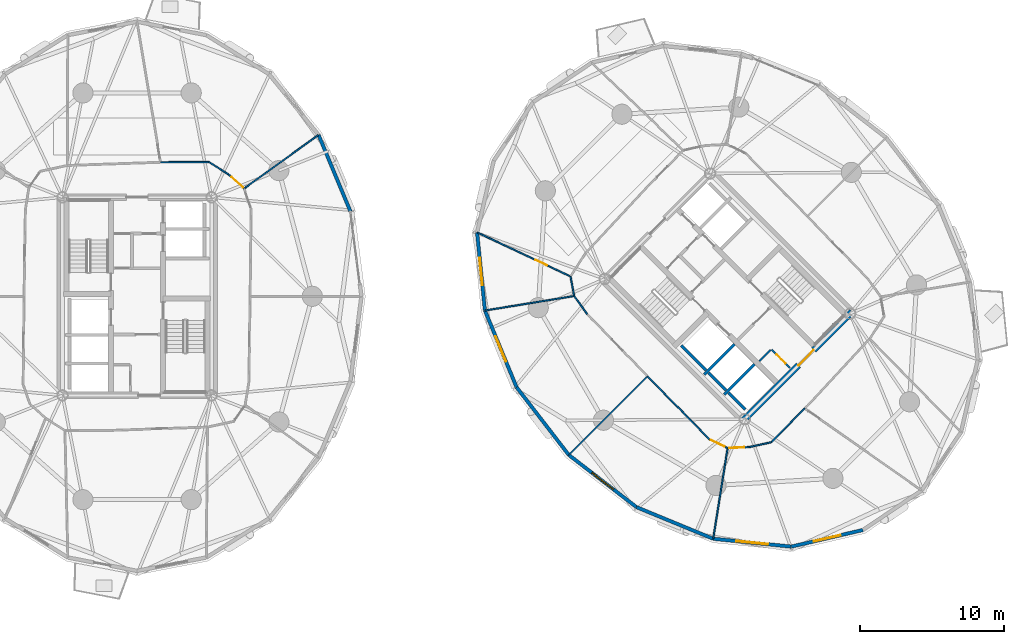
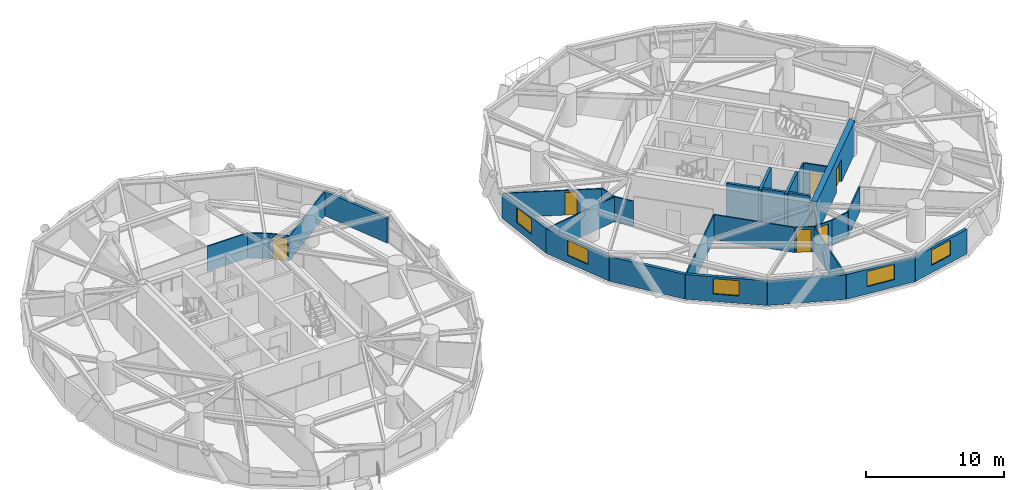
# One storey, part 11 of 17: 31 walls, 6 doors, 5 windows, 11 openings.
"""IFC4 building model written with IfcOpenShell, lengths in metres."""

from ifc_helpers import new_model, si_unit, direction, frame, frame_2d, origin, place, context, subcontext, project, spatial, rectangle, extrude, source, transform, mapped, material, layer, layer_set, type_object, element, fill, save


model = new_model("IFC4")

# Units and contexts
model_context = context("Model", 3, precision=1e-05, world=origin(), true_north=direction((0.0, 1.0)))
body_context = subcontext(model_context, "Body", "Model", "MODEL_VIEW")
ifc_project = project(units=[si_unit("LENGTHUNIT", "METRE"), si_unit("AREAUNIT", "SQUARE_METRE"), si_unit("VOLUMEUNIT", "CUBIC_METRE"), si_unit("PLANEANGLEUNIT", "RADIAN"), si_unit("MASSUNIT", "GRAM", prefix="KILO")], contexts=[model_context])

# Site, building, storey
site_placement = place(None, origin())
site = spatial("IfcSite", under=ifc_project, at=site_placement, CompositionType="ELEMENT")
building_placement = place(site_placement, origin())
building = spatial("IfcBuilding", under=site, at=building_placement, Name="Cununo Teusaquillo Station Towers", CompositionType="ELEMENT")
storey_placement = place(building_placement, frame((0.0, 0.0, 96.340087890625)))
storey = spatial("IfcBuildingStorey", under=building, at=storey_placement, Name="L30", CompositionType="ELEMENT", Elevation=96.340087890625)

# Walls
ifc_material_1 = material(Name="Concrete C50/60", Category="concrete")
ifc_layer_1 = layer(ifc_material_1, 0.199951171875)
ifc_layer_set_1 = layer_set([ifc_layer_1], Name="Concrete C50/60")
wall_type_1 = type_object("IfcWallType", Name="WL-CORE-200", PredefinedType="SHEAR", material=ifc_layer_set_1)
wall_1_placement = place(storey_placement, frame((55.8876953125, 19.0693359375, 0.0), z_axis=(0.0, 0.0, 1.0), x_axis=(0.707106781187, 0.707106781187, 0.0)))
element("IfcWall", 1, at=wall_1_placement, inside=storey, type_object=wall_type_1, Name="L30 Tower B Firefighting Lift Shaft South Shear Wall", PredefinedType="SHEAR", context=body_context, shape_type="SweptSolid", body=[
    extrude(rectangle(XDim=2.969970703125, YDim=0.199951171875, at=frame_2d((1.48486328125, 0.0))), origin(), (0.0, 0.0, 1.0), 2.909912109375),
])
wall_2_placement = place(storey_placement, frame((56.01513671875, 19.366455078125, 0.0), z_axis=(0.0, 0.0, 1.0), x_axis=(-0.707106781187, 0.707106781187, 0.0)))
element("IfcWall", 2, at=wall_2_placement, inside=storey, type_object=wall_type_1, Name="L30 Tower B Firefighting Lift Shaft Rear Shear Wall", PredefinedType="SHEAR", context=body_context, shape_type="SweptSolid", body=[
    extrude(rectangle(XDim=2.43994140625, YDim=0.199951171875, at=frame_2d((1.219970703125, 0.0))), origin(), (0.0, 0.0, 1.0), 2.909912109375),
])
wall_3_placement = place(storey_placement, frame((57.2841796875, 17.6728515625, 0.0), z_axis=(0.0, 0.0, 1.0), x_axis=(0.707147878904, 0.70706568108, 0.0)))
element("IfcWall", 3, at=wall_3_placement, inside=storey, type_object=wall_type_1, Name="L30 Tower B High-Rise Lift Hoistway Divider Shear Wall", PredefinedType="SHEAR", context=body_context, shape_type="SweptSolid", body=[
    extrude(rectangle(XDim=2.97021484375, YDim=0.199951171875, at=frame_2d((1.485107421875, 0.0))), origin(), (0.0, 0.0, 1.0), 2.909912109375),
])
wall_4_placement = place(storey_placement, frame((57.41162109375, 17.969970703125, 0.0), z_axis=(0.0, 0.0, 1.0), x_axis=(-0.707106781187, 0.707106781187, 0.0)))
element("IfcWall", 4, at=wall_4_placement, inside=storey, type_object=wall_type_1, Name="L30 Tower B High-Rise Lift 2 Shaft Rear Shear Wall", PredefinedType="SHEAR", context=body_context, shape_type="SweptSolid", body=[
    extrude(rectangle(XDim=1.73486328125, YDim=0.199951171875, at=frame_2d((0.867431640625, 0.0))), origin(), (0.0, 0.0, 1.0), 2.909912109375),
])
wall_5_placement = place(storey_placement, frame((58.7373046875, 16.64404296875, 0.0), z_axis=(0.0, 0.0, 1.0), x_axis=(-0.707032117043, 0.707181437447, 0.0)))
element("IfcWall", 5, at=wall_5_placement, inside=storey, type_object=wall_type_1, Name="L30 Tower B High-Rise Lift 1 Shaft Rear Shear Wall", PredefinedType="SHEAR", context=body_context, shape_type="SweptSolid", body=[
    extrude(rectangle(XDim=1.635009765625, YDim=0.199951171875, at=frame_2d((0.8173828125, 0.0))), origin(), (0.0, 0.0, 1.0), 2.909912109375),
])

# Wall, opening, door
ifc_material_2 = material(Name="Concrete C60/75", Category="concrete")
ifc_layer_2 = layer(ifc_material_2, 0.449951171875)
ifc_layer_set_2 = layer_set([ifc_layer_2], Name="Concrete C60/75")
wall_type_2 = type_object("IfcWallType", Name="WL-CORE-450", PredefinedType="SHEAR", material=ifc_layer_set_2)
wall_6_placement = place(storey_placement, frame((58.578369140625, 15.855712890625, 0.0), z_axis=(0.0, 0.0, 1.0), x_axis=(0.707106781187, 0.707106781187, 0.0)))
wall_6 = element("IfcWall", 6, at=wall_6_placement, inside=storey, type_object=wall_type_2, Name="L30 Tower B Core Shear Wall S", PredefinedType="SHEAR", context=body_context, shape_type="SweptSolid", body=[
    extrude(rectangle(XDim=10.69970703125, YDim=0.449951171875, at=frame_2d((5.349853515625, 0.0))), origin(), (0.0, 0.0, 1.0), 2.909912109375),
])
shared_shape_1 = source(origin(), body_context, "Body", "SweptSolid", [
    extrude(rectangle(XDim=1.5, YDim=2.02001953125, at=frame_2d((0.75, 1.010009765625))), frame((0.0, 0.23486328125, 0.0), z_axis=(0.0, -1.0, 0.0), x_axis=(1.0, 0.0, 0.0)), (0.0, 0.0, 1.0), 0.469970703125),
])
opening_1_placement = place(wall_6_placement, frame((5.449951171875, 0.0, 0.0)))
opening_1 = element("IfcOpeningElement", 7, at=opening_1_placement, cuts=wall_6, Name="Opening D-LB1", PredefinedType="OPENING", context=body_context, shape_type="MappedRepresentation", body=[
    mapped(shared_shape_1, transform((0.0, 0.0, 0.0), x_axis=(1.0, 0.0, 0.0), y_axis=(0.0, 1.0, 0.0), z_axis=(0.0, 0.0, 1.0), scale=1.0)),
])
ifc_material_3 = material(Name="Galvanised fire-rated hollow steel door assembly", Category="steel")
door_type_1 = type_object("IfcDoorType", Name="DR-LOBBY-1500", OperationType="DOUBLE_DOOR_SINGLE_SWING", PredefinedType="DOOR", material=ifc_material_3)
shared_shape_2 = source(origin(), body_context, "Body", "SweptSolid", [
    extrude(rectangle(XDim=1.5, YDim=2.02001953125, at=frame_2d((0.75, 1.010009765625))), frame((0.0, 0.02490234375, 0.0), z_axis=(0.0, -1.0, 0.0), x_axis=(1.0, 0.0, 0.0)), (0.0, 0.0, 1.0), 0.050048828125),
])
door_1_placement = place(opening_1_placement, origin())
door_1 = element("IfcDoor", 8, at=door_1_placement, inside=storey, type_object=door_type_1, Name="L30 Tower B South Core Lift Lobby Door", OperationType="DOUBLE_DOOR_SINGLE_SWING", OverallHeight=2.02001953125, OverallWidth=1.5, PredefinedType="DOOR", context=body_context, shape_type="MappedRepresentation", body=[
    mapped(shared_shape_2, transform((0.0, 0.0, 0.0), x_axis=(1.0, 0.0, 0.0), y_axis=(0.0, 1.0, 0.0), z_axis=(0.0, 0.0, 1.0), scale=1.0)),
])
fill(opening_1, door_1)

# Wall
ifc_material_4 = material(Name="Precast concrete C40/50", Category="concrete")
ifc_layer_3 = layer(ifc_material_4, 0.239990234375)
ifc_layer_set_3 = layer_set([ifc_layer_3], Name="Precast concrete C40/50")
wall_type_3 = type_object("IfcWallType", Name="WL-EXT-240", PredefinedType="SOLIDWALL", material=ifc_layer_set_3)
wall_7_placement = place(storey_placement, frame((29.105224609375, 35.708984375, 0.0), z_axis=(0.0, 0.0, 1.0), x_axis=(0.384344417632, -0.923189779317, 0.0)))
element("IfcWall", 9, at=wall_7_placement, inside=storey, type_object=wall_type_3, Name="L30 Tower A Exterior Facade Wall C01", PredefinedType="SOLIDWALL", context=body_context, shape_type="SweptSolid", body=[
    extrude(rectangle(XDim=5.75830078125, YDim=0.239990234375, at=frame_2d((2.879150390625, 0.0))), origin(), (0.0, 0.0, 1.0), 2.178955078125),
])

# Wall, opening, window
wall_8_placement = place(storey_placement, frame((40.66064453125, 23.5126953125, 0.0), z_axis=(0.0, 0.0, 1.0), x_axis=(-0.10015591906, 0.994971754311, 0.0)))
wall_8 = element("IfcWall", 10, at=wall_8_placement, inside=storey, type_object=wall_type_3, Name="L30 Tower B Exterior Facade Wall C07", PredefinedType="SOLIDWALL", context=body_context, shape_type="SweptSolid", body=[
    extrude(rectangle(XDim=5.447998046875, YDim=0.239990234375, at=frame_2d((2.72412109375, 0.0))), origin(), (0.0, 0.0, 1.0), 2.178955078125),
])
shared_shape_3 = source(origin(), body_context, "Body", "SweptSolid", [
    extrude(rectangle(XDim=1.89990234375, YDim=1.35009765625, at=frame_2d((0.949951171875, 0.675048828125))), frame((0.0, 0.1298828125, 0.0), z_axis=(0.0, -1.0, 0.0), x_axis=(1.0, 0.0, 0.0)), (0.0, 0.0, 1.0), 0.260009765625),
])
opening_2_placement = place(wall_8_placement, frame((1.77392578125, 0.0, 0.64990234375)))
opening_2 = element("IfcOpeningElement", 11, at=opening_2_placement, cuts=wall_8, Name="Opening WN-02", PredefinedType="OPENING", context=body_context, shape_type="MappedRepresentation", body=[
    mapped(shared_shape_3, transform((0.0, 0.0, 0.0), x_axis=(1.0, 0.0, 0.0), y_axis=(0.0, 1.0, 0.0), z_axis=(0.0, 0.0, 1.0), scale=1.0)),
])
ifc_material_5 = material(Name="Operable acoustic tinted low-E double glazing", Category="glass")
window_type_1 = type_object("IfcWindowType", Name="WIN-OPER-1900", PartitioningType="DOUBLE_PANEL_VERTICAL", PredefinedType="WINDOW", material=ifc_material_5)
shared_shape_4 = source(origin(), body_context, "Body", "SweptSolid", [
    extrude(rectangle(XDim=1.89990234375, YDim=1.35009765625, at=frame_2d((0.949951171875, 0.675048828125))), frame((0.0, 0.030029296875, 0.0), z_axis=(0.0, -1.0, 0.0), x_axis=(1.0, 0.0, 0.0)), (0.0, 0.0, 1.0), 0.06005859375),
])
window_1_placement = place(opening_2_placement, origin())
window_1 = element("IfcWindow", 12, at=window_1_placement, inside=storey, type_object=window_type_1, Name="L30 Tower B Facade Window C07", OverallHeight=1.35009765625, OverallWidth=1.89990234375, PartitioningType="DOUBLE_PANEL_VERTICAL", PredefinedType="WINDOW", context=body_context, shape_type="MappedRepresentation", body=[
    mapped(shared_shape_4, transform((0.0, 0.0, 0.0), x_axis=(1.0, 0.0, 0.0), y_axis=(0.0, 1.0, 0.0), z_axis=(0.0, 0.0, 1.0), scale=1.0)),
])
fill(opening_2, window_1)

wall_9_placement = place(storey_placement, frame((42.854736328125, 18.188720703125, 0.0), z_axis=(0.0, 0.0, 1.0), x_axis=(-0.381027003055, 0.924563909604, 0.0)))
wall_9 = element("IfcWall", 13, at=wall_9_placement, inside=storey, type_object=wall_type_3, Name="L30 Tower B Exterior Facade Wall C08", PredefinedType="SOLIDWALL", context=body_context, shape_type="SweptSolid", body=[
    extrude(rectangle(XDim=5.75830078125, YDim=0.239990234375, at=frame_2d((2.879150390625, 0.0))), origin(), (0.0, 0.0, 1.0), 2.178955078125),
])
opening_3_placement = place(wall_9_placement, frame((1.928955078125, 0.0, 0.64990234375)))
opening_3 = element("IfcOpeningElement", 14, at=opening_3_placement, cuts=wall_9, Name="Opening WN-02", PredefinedType="OPENING", context=body_context, shape_type="MappedRepresentation", body=[
    mapped(shared_shape_3, transform((0.0, 0.0, 0.0), x_axis=(1.0, 0.0, 0.0), y_axis=(0.0, 1.0, 0.0), z_axis=(0.0, 0.0, 1.0), scale=1.0)),
])
window_2_placement = place(opening_3_placement, origin())
window_2 = element("IfcWindow", 15, at=window_2_placement, inside=storey, type_object=window_type_1, Name="L30 Tower B Facade Window C08", OverallHeight=1.35009765625, OverallWidth=1.89990234375, PartitioningType="DOUBLE_PANEL_VERTICAL", PredefinedType="WINDOW", context=body_context, shape_type="MappedRepresentation", body=[
    mapped(shared_shape_4, transform((0.0, 0.0, 0.0), x_axis=(1.0, 0.0, 0.0), y_axis=(0.0, 1.0, 0.0), z_axis=(0.0, 0.0, 1.0), scale=1.0)),
])
fill(opening_3, window_2)

# Wall
wall_10_placement = place(storey_placement, frame((46.482666015625, 13.482666015625, 0.0), z_axis=(0.0, 0.0, 1.0), x_axis=(-0.61054437102, 0.791982052206, 0.0)))
element("IfcWall", 16, at=wall_10_placement, inside=storey, type_object=wall_type_3, Name="L30 Tower B Exterior Facade Wall C09", PredefinedType="SOLIDWALL", context=body_context, shape_type="SweptSolid", body=[
    extrude(rectangle(XDim=5.942138671875, YDim=0.239990234375, at=frame_2d((2.97119140625, 0.0))), origin(), (0.0, 0.0, 1.0), 2.178955078125),
])

# Wall, opening, window
wall_11_placement = place(storey_placement, frame((51.188720703125, 9.854736328125, 0.0), z_axis=(0.0, 0.0, 1.0), x_axis=(-0.791982052206, 0.61054437102, 0.0)))
wall_11 = element("IfcWall", 17, at=wall_11_placement, inside=storey, type_object=wall_type_3, Name="L30 Tower B Exterior Facade Wall C10", PredefinedType="SOLIDWALL", context=body_context, shape_type="SweptSolid", body=[
    extrude(rectangle(XDim=5.942138671875, YDim=0.239990234375, at=frame_2d((2.97119140625, 0.0))), origin(), (0.0, 0.0, 1.0), 2.178955078125),
])
opening_4_placement = place(wall_11_placement, frame((2.02099609375, 0.0, 0.64990234375)))
opening_4 = element("IfcOpeningElement", 18, at=opening_4_placement, cuts=wall_11, Name="Opening WN-02", PredefinedType="OPENING", context=body_context, shape_type="MappedRepresentation", body=[
    mapped(shared_shape_3, transform((0.0, 0.0, 0.0), x_axis=(1.0, 0.0, 0.0), y_axis=(0.0, 1.0, 0.0), z_axis=(0.0, 0.0, 1.0), scale=1.0)),
])
window_3_placement = place(opening_4_placement, origin())
window_3 = element("IfcWindow", 19, at=window_3_placement, inside=storey, type_object=window_type_1, Name="L30 Tower B Facade Window C10", OverallHeight=1.35009765625, OverallWidth=1.89990234375, PartitioningType="DOUBLE_PANEL_VERTICAL", PredefinedType="WINDOW", context=body_context, shape_type="MappedRepresentation", body=[
    mapped(shared_shape_4, transform((0.0, 0.0, 0.0), x_axis=(1.0, 0.0, 0.0), y_axis=(0.0, 1.0, 0.0), z_axis=(0.0, 0.0, 1.0), scale=1.0)),
])
fill(opening_4, window_3)

# Wall
wall_12_placement = place(storey_placement, frame((56.5126953125, 7.66064453125, 0.0), z_axis=(0.0, 0.0, 1.0), x_axis=(-0.924563909604, 0.381027003055, 0.0)))
element("IfcWall", 20, at=wall_12_placement, inside=storey, type_object=wall_type_3, Name="L30 Tower B Exterior Facade Wall C11", PredefinedType="SOLIDWALL", context=body_context, shape_type="SweptSolid", body=[
    extrude(rectangle(XDim=5.75830078125, YDim=0.239990234375, at=frame_2d((2.879150390625, 0.0))), origin(), (0.0, 0.0, 1.0), 2.178955078125),
])

# Wall, opening, window
wall_13_placement = place(storey_placement, frame((61.933349609375, 7.114990234375, 0.0), z_axis=(0.0, 0.0, 1.0), x_axis=(-0.994971754311, 0.10015591906, 0.0)))
wall_13 = element("IfcWall", 21, at=wall_13_placement, inside=storey, type_object=wall_type_3, Name="L30 Tower B Exterior Facade Wall C12", PredefinedType="SOLIDWALL", context=body_context, shape_type="SweptSolid", body=[
    extrude(rectangle(XDim=5.447998046875, YDim=0.239990234375, at=frame_2d((2.72412109375, 0.0))), origin(), (0.0, 0.0, 1.0), 2.178955078125),
])
shared_shape_5 = source(origin(), body_context, "Body", "SweptSolid", [
    extrude(rectangle(XDim=2.199951171875, YDim=1.35009765625, at=frame_2d((1.10009765625, 0.675048828125))), frame((0.0, 0.1298828125, 0.0), z_axis=(0.0, -1.0, 0.0), x_axis=(1.0, 0.0, 0.0)), (0.0, 0.0, 1.0), 0.260009765625),
])
opening_5_placement = place(wall_13_placement, frame((1.6240234375, 0.0, 0.64990234375)))
opening_5 = element("IfcOpeningElement", 22, at=opening_5_placement, cuts=wall_13, Name="Opening WN-01", PredefinedType="OPENING", context=body_context, shape_type="MappedRepresentation", body=[
    mapped(shared_shape_5, transform((0.0, 0.0, 0.0), x_axis=(1.0, 0.0, 0.0), y_axis=(0.0, 1.0, 0.0), z_axis=(0.0, 0.0, 1.0), scale=1.0)),
])
ifc_material_6 = material(Name="Ceramic-fritted dark low-E double glazing", Category="glass")
window_type_2 = type_object("IfcWindowType", Name="WIN-FRIT-2200", PartitioningType="DOUBLE_PANEL_VERTICAL", PredefinedType="WINDOW", material=ifc_material_6)
shared_shape_6 = source(origin(), body_context, "Body", "SweptSolid", [
    extrude(rectangle(XDim=2.199951171875, YDim=1.35009765625, at=frame_2d((1.10009765625, 0.675048828125))), frame((0.0, 0.030029296875, 0.0), z_axis=(0.0, -1.0, 0.0), x_axis=(1.0, 0.0, 0.0)), (0.0, 0.0, 1.0), 0.06005859375),
])
window_4_placement = place(opening_5_placement, origin())
window_4 = element("IfcWindow", 23, at=window_4_placement, inside=storey, type_object=window_type_2, Name="L30 Tower B Facade Window C12", OverallHeight=1.35009765625, OverallWidth=2.199951171875, PartitioningType="DOUBLE_PANEL_VERTICAL", PredefinedType="WINDOW", context=body_context, shape_type="MappedRepresentation", body=[
    mapped(shared_shape_6, transform((0.0, 0.0, 0.0), x_axis=(1.0, 0.0, 0.0), y_axis=(0.0, 1.0, 0.0), z_axis=(0.0, 0.0, 1.0), scale=1.0)),
])
fill(opening_5, window_4)

wall_14_placement = place(storey_placement, frame((66.919921875, 8.27099609375, 0.0), z_axis=(0.0, 0.0, 1.0), x_axis=(-0.974165631126, -0.225834725257, 0.0)))
wall_14 = element("IfcWall", 24, at=wall_14_placement, inside=storey, type_object=wall_type_3, Name="L30 Tower B Exterior Facade Wall C13", PredefinedType="SOLIDWALL", context=body_context, shape_type="SweptSolid", body=[
    extrude(rectangle(XDim=5.118896484375, YDim=0.239990234375, at=frame_2d((2.5595703125, 0.0))), origin(), (0.0, 0.0, 1.0), 2.178955078125),
])
opening_6_placement = place(wall_14_placement, frame((1.60888671875, 0.0, 0.64990234375)))
opening_6 = element("IfcOpeningElement", 25, at=opening_6_placement, cuts=wall_14, Name="Opening WN-02", PredefinedType="OPENING", context=body_context, shape_type="MappedRepresentation", body=[
    mapped(shared_shape_3, transform((0.0, 0.0, 0.0), x_axis=(1.0, 0.0, 0.0), y_axis=(0.0, 1.0, 0.0), z_axis=(0.0, 0.0, 1.0), scale=1.0)),
])
window_5_placement = place(opening_6_placement, origin())
window_5 = element("IfcWindow", 26, at=window_5_placement, inside=storey, type_object=window_type_1, Name="L30 Tower B Facade Window C13", OverallHeight=1.35009765625, OverallWidth=1.89990234375, PartitioningType="DOUBLE_PANEL_VERTICAL", PredefinedType="WINDOW", context=body_context, shape_type="MappedRepresentation", body=[
    mapped(shared_shape_4, transform((0.0, 0.0, 0.0), x_axis=(1.0, 0.0, 0.0), y_axis=(0.0, 1.0, 0.0), z_axis=(0.0, 0.0, 1.0), scale=1.0)),
])
fill(opening_6, window_5)

# Wall, opening, door
ifc_material_7 = material(Name="Fire-rated gypsum plasterboard partition assembly", Category="gypsum")
ifc_layer_4 = layer(ifc_material_7, 0.10009765625)
ifc_layer_set_4 = layer_set([ifc_layer_4], Name="Fire-rated gypsum plasterboard partition assembly")
wall_type_4 = type_object("IfcWallType", Name="WL-PART-100", PredefinedType="MOVABLE", material=ifc_layer_set_4)
wall_15_placement = place(storey_placement, frame((23.933349609375, 31.986572265625, 0.0), z_axis=(0.0, 0.0, 1.0), x_axis=(-0.742471347264, 0.669877823556, 0.0)))
wall_15 = element("IfcWall", 27, at=wall_15_placement, inside=storey, type_object=wall_type_4, Name="L30 Tower A Corridor Ring Wall C02", PredefinedType="MOVABLE", context=body_context, shape_type="SweptSolid", body=[
    extrude(rectangle(XDim=1.476318359375, YDim=0.10009765625, at=frame_2d((0.73828125, 0.0))), origin(), (0.0, 0.0, 1.0), 2.224853515625),
])
shared_shape_7 = source(origin(), body_context, "Body", "SweptSolid", [
    extrude(rectangle(XDim=1.050048828125, YDim=2.014892578125, at=frame_2d((0.52490234375, 1.00732421875))), frame((0.0, 0.06005859375, 0.0), z_axis=(0.0, -1.0, 0.0), x_axis=(1.0, 0.0, 0.0)), (0.0, 0.0, 1.0), 0.1201171875),
])
opening_7_placement = place(wall_15_placement, frame((0.1201171875, 0.0, 0.0)))
opening_7 = element("IfcOpeningElement", 28, at=opening_7_placement, cuts=wall_15, Name="Opening D-SU1", PredefinedType="OPENING", context=body_context, shape_type="MappedRepresentation", body=[
    mapped(shared_shape_7, transform((0.0, 0.0, 0.0), x_axis=(1.0, 0.0, 0.0), y_axis=(0.0, 1.0, 0.0), z_axis=(0.0, 0.0, 1.0), scale=1.0)),
])
ifc_material_8 = material(Name="Acoustic solid-core hardwood leaf assembly", Category="wood")
door_type_2 = type_object("IfcDoorType", Name="DR-SUITE-1050", OperationType="NOTDEFINED", PredefinedType="DOOR", material=ifc_material_8)
shared_shape_8 = source(origin(), body_context, "Body", "SweptSolid", [
    extrude(rectangle(XDim=1.050048828125, YDim=2.014892578125, at=frame_2d((0.52490234375, 1.00732421875))), frame((0.0, 0.02490234375, 0.0), z_axis=(0.0, -1.0, 0.0), x_axis=(1.0, 0.0, 0.0)), (0.0, 0.0, 1.0), 0.050048828125),
])
door_2_placement = place(opening_7_placement, origin())
door_2 = element("IfcDoor", 29, at=door_2_placement, inside=storey, type_object=door_type_2, Name="L30 Tower A Quantitative Risk Analytics Practice Entrance Door", OperationType="SINGLE_SWING_LEFT", OverallHeight=2.014892578125, OverallWidth=1.050048828125, PredefinedType="DOOR", context=body_context, shape_type="MappedRepresentation", body=[
    mapped(shared_shape_8, transform((0.0, 0.0, 0.0), x_axis=(1.0, 0.0, 0.0), y_axis=(0.0, 1.0, 0.0), z_axis=(0.0, 0.0, 1.0), scale=1.0)),
])
fill(opening_7, door_2)

# Walls
wall_16_placement = place(storey_placement, frame((22.837158203125, 32.9755859375, 0.0), z_axis=(0.0, 0.0, 1.0), x_axis=(-0.844976677144, 0.534803155454, 0.0)))
element("IfcWall", 30, at=wall_16_placement, inside=storey, type_object=wall_type_4, Name="L30 Tower A Corridor Ring Wall C03", PredefinedType="MOVABLE", context=body_context, shape_type="SweptSolid", body=[
    extrude(rectangle(XDim=1.5869140625, YDim=0.10009765625, at=frame_2d((0.79345703125, 0.0))), origin(), (0.0, 0.0, 1.0), 2.224853515625),
])
wall_17_placement = place(storey_placement, frame((21.496337890625, 33.82421875, 0.0), z_axis=(0.0, 0.0, 1.0), x_axis=(-0.999990516754, -0.004355043261, 0.0)))
element("IfcWall", 31, at=wall_17_placement, inside=storey, type_object=wall_type_4, Name="L30 Tower A Corridor Ring Wall C04", PredefinedType="MOVABLE", context=body_context, shape_type="SweptSolid", body=[
    extrude(rectangle(XDim=3.363525390625, YDim=0.10009765625, at=frame_2d((1.681640625, 0.0))), origin(), (0.0, 0.0, 1.0), 2.224853515625),
])
wall_18_placement = place(storey_placement, frame((23.933349609375, 31.986572265625, 0.0), z_axis=(0.0, 0.0, 1.0), x_axis=(0.811642946178, 0.584153856377, 0.0)))
element("IfcWall", 32, at=wall_18_placement, inside=storey, type_object=wall_type_4, Name="L30 Tower A Radial Suite Partition R02", PredefinedType="MOVABLE", context=body_context, shape_type="SweptSolid", body=[
    extrude(rectangle(XDim=6.352294921875, YDim=0.10009765625, at=frame_2d((3.17626953125, 0.0))), origin(), (0.0, 0.0, 1.0), 2.178955078125),
])
wall_19_placement = place(storey_placement, frame((46.604736328125, 25.878662109375, 0.0), z_axis=(0.0, 0.0, 1.0), x_axis=(0.182019785456, -0.983294868136, 0.0)))
element("IfcWall", 33, at=wall_19_placement, inside=storey, type_object=wall_type_4, Name="L30 Tower B Corridor Ring Wall C07", PredefinedType="MOVABLE", context=body_context, shape_type="SweptSolid", body=[
    extrude(rectangle(XDim=1.38427734375, YDim=0.10009765625, at=frame_2d((0.692138671875, 0.0))), origin(), (0.0, 0.0, 1.0), 2.224853515625),
])
wall_20_placement = place(storey_placement, frame((46.856689453125, 24.517578125, 0.0), z_axis=(0.0, 0.0, 1.0), x_axis=(0.58624548148, -0.810133467674, 0.0)))
element("IfcWall", 34, at=wall_20_placement, inside=storey, type_object=wall_type_4, Name="L30 Tower B Corridor Ring Wall C08", PredefinedType="MOVABLE", context=body_context, shape_type="SweptSolid", body=[
    extrude(rectangle(XDim=1.54638671875, YDim=0.10009765625, at=frame_2d((0.773193359375, 0.0))), origin(), (0.0, 0.0, 1.0), 2.224853515625),
])
wall_21_placement = place(storey_placement, frame((51.94921875, 18.94921875, 0.0), z_axis=(0.0, 0.0, 1.0), x_axis=(0.699840807936, -0.714298847506, 0.0)))
element("IfcWall", 35, at=wall_21_placement, inside=storey, type_object=wall_type_4, Name="L30 Tower B Corridor Ring Wall C10", PredefinedType="MOVABLE", context=body_context, shape_type="SweptSolid", body=[
    extrude(rectangle(XDim=6.129638671875, YDim=0.10009765625, at=frame_2d((3.06494140625, 0.0))), origin(), (0.0, 0.0, 1.0), 2.224853515625),
])

# Wall, opening, door
wall_22_placement = place(storey_placement, frame((56.239013671875, 14.57080078125, 0.0), z_axis=(0.0, 0.0, 1.0), x_axis=(0.901549955153, -0.432675026278, 0.0)))
wall_22 = element("IfcWall", 36, at=wall_22_placement, inside=storey, type_object=wall_type_4, Name="L30 Tower B Corridor Ring Wall C11", PredefinedType="MOVABLE", context=body_context, shape_type="SweptSolid", body=[
    extrude(rectangle(XDim=1.416259765625, YDim=0.10009765625, at=frame_2d((0.7080078125, 0.0))), origin(), (0.0, 0.0, 1.0), 2.224853515625),
])
opening_8_placement = place(wall_22_placement, frame((0.1201171875, 0.0, 0.0)))
opening_8 = element("IfcOpeningElement", 37, at=opening_8_placement, cuts=wall_22, Name="Opening D-SU1", PredefinedType="OPENING", context=body_context, shape_type="MappedRepresentation", body=[
    mapped(shared_shape_7, transform((0.0, 0.0, 0.0), x_axis=(1.0, 0.0, 0.0), y_axis=(0.0, 1.0, 0.0), z_axis=(0.0, 0.0, 1.0), scale=1.0)),
])
door_3_placement = place(opening_8_placement, origin())
door_3 = element("IfcDoor", 38, at=door_3_placement, inside=storey, type_object=door_type_2, Name="L30 Tower B Derivatives Structuring Office Entrance Door", OperationType="SINGLE_SWING_RIGHT", OverallHeight=2.014892578125, OverallWidth=1.050048828125, PredefinedType="DOOR", context=body_context, shape_type="MappedRepresentation", body=[
    mapped(shared_shape_8, transform((0.0, 0.0, 0.0), x_axis=(1.0, 0.0, 0.0), y_axis=(0.0, 1.0, 0.0), z_axis=(0.0, 0.0, 1.0), scale=1.0)),
])
fill(opening_8, door_3)

wall_23_placement = place(storey_placement, frame((57.515869140625, 13.9580078125, 0.0), z_axis=(0.0, 0.0, 1.0), x_axis=(0.999005711776, 0.044582371387, 0.0)))
wall_23 = element("IfcWall", 39, at=wall_23_placement, inside=storey, type_object=wall_type_4, Name="L30 Tower B Corridor Ring Wall C12", PredefinedType="MOVABLE", context=body_context, shape_type="SweptSolid", body=[
    extrude(rectangle(XDim=1.489501953125, YDim=0.10009765625, at=frame_2d((0.74462890625, 0.0))), origin(), (0.0, 0.0, 1.0), 2.224853515625),
])
opening_9_placement = place(wall_23_placement, frame((0.1201171875, 0.0, 0.0)))
opening_9 = element("IfcOpeningElement", 40, at=opening_9_placement, cuts=wall_23, Name="Opening D-SU1", PredefinedType="OPENING", context=body_context, shape_type="MappedRepresentation", body=[
    mapped(shared_shape_7, transform((0.0, 0.0, 0.0), x_axis=(1.0, 0.0, 0.0), y_axis=(0.0, 1.0, 0.0), z_axis=(0.0, 0.0, 1.0), scale=1.0)),
])
door_4_placement = place(opening_9_placement, origin())
door_4 = element("IfcDoor", 41, at=door_4_placement, inside=storey, type_object=door_type_2, Name="L30 Tower B Algorithmic Backtesting Lab Entrance Door", OperationType="SINGLE_SWING_LEFT", OverallHeight=2.014892578125, OverallWidth=1.050048828125, PredefinedType="DOOR", context=body_context, shape_type="MappedRepresentation", body=[
    mapped(shared_shape_8, transform((0.0, 0.0, 0.0), x_axis=(1.0, 0.0, 0.0), y_axis=(0.0, 1.0, 0.0), z_axis=(0.0, 0.0, 1.0), scale=1.0)),
])
fill(opening_9, door_4)

# Walls
wall_24_placement = place(storey_placement, frame((59.00390625, 14.0244140625, 0.0), z_axis=(0.0, 0.0, 1.0), x_axis=(0.976436847881, 0.215803341262, 0.0)))
element("IfcWall", 42, at=wall_24_placement, inside=storey, type_object=wall_type_4, Name="L30 Tower B Corridor Ring Wall C13", PredefinedType="MOVABLE", context=body_context, shape_type="SweptSolid", body=[
    extrude(rectangle(XDim=1.582763671875, YDim=0.10009765625, at=frame_2d((0.79150390625, 0.0))), origin(), (0.0, 0.0, 1.0), 2.224853515625),
])
wall_25_placement = place(storey_placement, frame((60.54931640625, 14.365966796875, 0.0), z_axis=(0.0, 0.0, 1.0), x_axis=(0.704402344516, 0.709800913666, 0.0)))
element("IfcWall", 43, at=wall_25_placement, inside=storey, type_object=wall_type_4, Name="L30 Tower B Corridor Ring Wall C14", PredefinedType="MOVABLE", context=body_context, shape_type="SweptSolid", body=[
    extrude(rectangle(XDim=3.30126953125, YDim=0.10009765625, at=frame_2d((1.650634765625, 0.0))), origin(), (0.0, 0.0, 1.0), 2.224853515625),
])
wall_26_placement = place(storey_placement, frame((46.856689453125, 24.517578125, 0.0), z_axis=(0.0, 0.0, 1.0), x_axis=(-0.987101644997, -0.160094792056, 0.0)))
element("IfcWall", 44, at=wall_26_placement, inside=storey, type_object=wall_type_4, Name="L30 Tower B Radial Suite Partition R04", PredefinedType="MOVABLE", context=body_context, shape_type="SweptSolid", body=[
    extrude(rectangle(XDim=6.257080078125, YDim=0.10009765625, at=frame_2d((3.12841796875, 0.0))), origin(), (0.0, 0.0, 1.0), 2.178955078125),
])
wall_27_placement = place(storey_placement, frame((51.94921875, 18.94921875, 0.0), z_axis=(0.0, 0.0, 1.0), x_axis=(-0.707106781187, -0.707106781187, 0.0)))
element("IfcWall", 45, at=wall_27_placement, inside=storey, type_object=wall_type_4, Name="L30 Tower B Radial Suite Partition R05", PredefinedType="MOVABLE", context=body_context, shape_type="SweptSolid", body=[
    extrude(rectangle(XDim=7.711181640625, YDim=0.10009765625, at=frame_2d((3.85546875, 0.0))), origin(), (0.0, 0.0, 1.0), 2.178955078125),
])
wall_28_placement = place(storey_placement, frame((57.515869140625, 13.9580078125, 0.0), z_axis=(0.0, 0.0, 1.0), x_axis=(-0.157313405462, -0.987548729158, 0.0)))
element("IfcWall", 46, at=wall_28_placement, inside=storey, type_object=wall_type_4, Name="L30 Tower B Radial Suite Partition R06", PredefinedType="MOVABLE", context=body_context, shape_type="SweptSolid", body=[
    extrude(rectangle(XDim=6.356689453125, YDim=0.10009765625, at=frame_2d((3.17822265625, 0.0))), origin(), (0.0, 0.0, 1.0), 2.178955078125),
])

# Wall, opening, door
wall_29_placement = place(storey_placement, frame((46.604736328125, 25.878662109375, 0.0), z_axis=(0.0, 0.0, 1.0), x_axis=(-0.904450971726, 0.426577589359, 0.0)))
wall_29 = element("IfcWall", 47, at=wall_29_placement, inside=storey, type_object=wall_type_4, Name="L30 Tower B Compliance & Audit Office Suite Subdividing Wall", PredefinedType="MOVABLE", context=body_context, shape_type="SweptSolid", body=[
    extrude(rectangle(XDim=7.153564453125, YDim=0.10009765625, at=frame_2d((3.57666015625, 0.0))), origin(), (0.0, 0.0, 1.0), 2.178955078125),
])
shared_shape_9 = source(origin(), body_context, "Body", "SweptSolid", [
    extrude(rectangle(XDim=0.89990234375, YDim=2.0048828125, at=frame_2d((0.449951171875, 1.00244140625))), frame((0.0, 0.06005859375, 0.0), z_axis=(0.0, -1.0, 0.0), x_axis=(1.0, 0.0, 0.0)), (0.0, 0.0, 1.0), 0.1201171875),
])
opening_10_placement = place(wall_29_placement, frame((1.800048828125, 0.0, 0.0)))
opening_10 = element("IfcOpeningElement", 48, at=opening_10_placement, cuts=wall_29, Name="Opening D-IN1", PredefinedType="OPENING", context=body_context, shape_type="MappedRepresentation", body=[
    mapped(shared_shape_9, transform((0.0, 0.0, 0.0), x_axis=(1.0, 0.0, 0.0), y_axis=(0.0, 1.0, 0.0), z_axis=(0.0, 0.0, 1.0), scale=1.0)),
])
ifc_material_9 = material(Name="Acoustic solid-core hardwood leaf assembly", Category="wood")
door_type_3 = type_object("IfcDoorType", Name="DR-INT-900", OperationType="NOTDEFINED", PredefinedType="DOOR", material=ifc_material_9)
shared_shape_10 = source(origin(), body_context, "Body", "SweptSolid", [
    extrude(rectangle(XDim=0.89990234375, YDim=2.0048828125, at=frame_2d((0.449951171875, 1.00244140625))), frame((0.0, 0.02490234375, 0.0), z_axis=(0.0, -1.0, 0.0), x_axis=(1.0, 0.0, 0.0)), (0.0, 0.0, 1.0), 0.050048828125),
])
door_5_placement = place(opening_10_placement, origin())
door_5 = element("IfcDoor", 49, at=door_5_placement, inside=storey, type_object=door_type_3, Name="L30 Tower B Compliance & Audit Office Suite Connecting Door", OperationType="SINGLE_SWING_RIGHT", OverallHeight=2.0048828125, OverallWidth=0.89990234375, PredefinedType="DOOR", context=body_context, shape_type="MappedRepresentation", body=[
    mapped(shared_shape_10, transform((0.0, 0.0, 0.0), x_axis=(1.0, 0.0, 0.0), y_axis=(0.0, 1.0, 0.0), z_axis=(0.0, 0.0, 1.0), scale=1.0)),
])
fill(opening_10, door_5)

ifc_material_10 = material(Name="Fire-rated gypsum plasterboard partition assembly", Category="gypsum")
ifc_layer_5 = layer(ifc_material_10, 0.125)
ifc_layer_set_5 = layer_set([ifc_layer_5], Name="Fire-rated gypsum plasterboard partition assembly")
wall_type_5 = type_object("IfcWallType", Name="WL-PART-125", PredefinedType="PARTITIONING", material=ifc_layer_set_5)
wall_30_placement = place(storey_placement, frame((61.834716796875, 19.529052734375, 0.0), z_axis=(0.0, 0.0, 1.0), x_axis=(-0.707174592913, 0.707038962956, 0.0)))
wall_30 = element("IfcWall", 50, at=wall_30_placement, inside=storey, type_object=wall_type_5, Name="L30 Tower B South-West Compact Store East Wall", PredefinedType="PARTITIONING", context=body_context, shape_type="SweptSolid", body=[
    extrude(rectangle(XDim=1.800048828125, YDim=0.125, at=frame_2d((0.89990234375, 0.0))), origin(), (0.0, 0.0, 1.0), 2.655029296875),
])
shared_shape_11 = source(origin(), body_context, "Body", "SweptSolid", [
    extrude(rectangle(XDim=0.89990234375, YDim=2.0048828125, at=frame_2d((0.449951171875, 1.00244140625))), frame((0.0, 0.072509765625, 0.0), z_axis=(0.0, -1.0, 0.0), x_axis=(1.0, 0.0, 0.0)), (0.0, 0.0, 1.0), 0.14501953125),
])
opening_11_placement = place(wall_30_placement, frame((0.419921875, 0.0, 0.0)))
opening_11 = element("IfcOpeningElement", 51, at=opening_11_placement, cuts=wall_30, Name="Opening D-SR1", PredefinedType="OPENING", context=body_context, shape_type="MappedRepresentation", body=[
    mapped(shared_shape_11, transform((0.0, 0.0, 0.0), x_axis=(1.0, 0.0, 0.0), y_axis=(0.0, 1.0, 0.0), z_axis=(0.0, 0.0, 1.0), scale=1.0)),
])
ifc_material_11 = material(Name="Galvanised fire-rated hollow steel door assembly", Category="steel")
door_type_4 = type_object("IfcDoorType", Name="DR-STORE-900", OperationType="NOTDEFINED", PredefinedType="DOOR", material=ifc_material_11)
door_6_placement = place(opening_11_placement, origin())
door_6 = element("IfcDoor", 52, at=door_6_placement, inside=storey, type_object=door_type_4, Name="L30 Tower B Core Electrical & Comms Store Door", OperationType="SINGLE_SWING_RIGHT", OverallHeight=2.0048828125, OverallWidth=0.89990234375, PredefinedType="DOOR", context=body_context, shape_type="MappedRepresentation", body=[
    mapped(shared_shape_10, transform((0.0, 0.0, 0.0), x_axis=(1.0, 0.0, 0.0), y_axis=(0.0, 1.0, 0.0), z_axis=(0.0, 0.0, 1.0), scale=1.0)),
])
fill(opening_11, door_6)

# Wall
wall_31_placement = place(storey_placement, frame((59.713134765625, 19.99560546875, 0.0), z_axis=(0.0, 0.0, 1.0), x_axis=(0.707217726, 0.706995818963, 0.0)))
element("IfcWall", 53, at=wall_31_placement, inside=storey, type_object=wall_type_5, Name="L30 Tower B South-West Compact Store North Wall", PredefinedType="PARTITIONING", context=body_context, shape_type="SweptSolid", body=[
    extrude(rectangle(XDim=1.10009765625, YDim=0.125, at=frame_2d((0.550048828125, 0.0))), origin(), (0.0, 0.0, 1.0), 2.655029296875),
])

save(model, "model.ifc")
